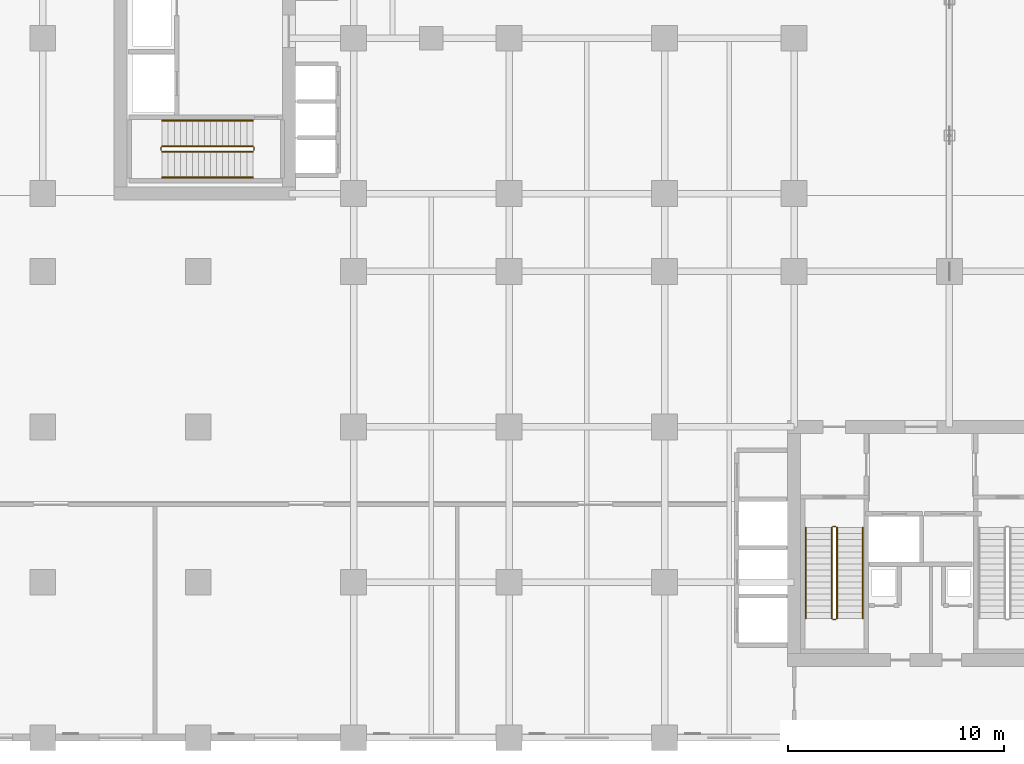
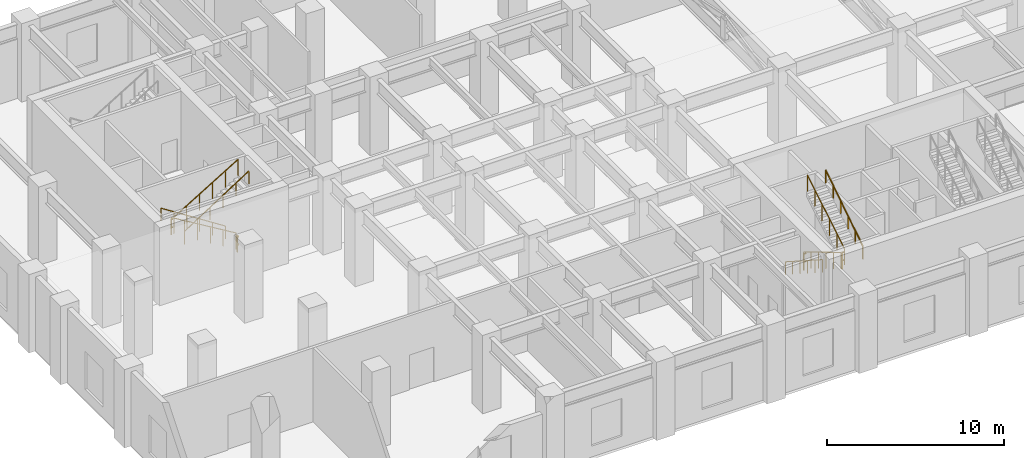
# One storey, part 15 of 19: 12 railings.
"""IFC4 building model written with IfcOpenShell, lengths in metres."""

from ifc_helpers import new_model, si_unit, derived_unit, direction, frame, origin, origin_2d, place, context, subcontext, project, spatial, rectangle, extrude, material, type_object, element, save


model = new_model("IFC4")

# Units and contexts
model_context = context("Model", 3, precision=1e-05, world=origin(), true_north=direction((0.0, 1.0)))
body_context = subcontext(model_context, "Body", "Model", "MODEL_VIEW")
ifc_project = project(units=[si_unit("LENGTHUNIT", "METRE"), si_unit("AREAUNIT", "SQUARE_METRE"), si_unit("VOLUMEUNIT", "CUBIC_METRE"), si_unit("PLANEANGLEUNIT", "RADIAN"), si_unit("MASSUNIT", "GRAM", prefix="KILO"), si_unit("THERMODYNAMICTEMPERATUREUNIT", "KELVIN"), si_unit("POWERUNIT", "WATT"), derived_unit("THERMALTRANSMITTANCEUNIT", [(si_unit("POWERUNIT", "WATT"), 1), (si_unit("AREAUNIT", "SQUARE_METRE"), -1), (si_unit("THERMODYNAMICTEMPERATUREUNIT", "KELVIN"), -1)])], contexts=[model_context])

# Site, building, storey
site_placement = place(None, origin())
site = spatial("IfcSite", under=ifc_project, at=site_placement, CompositionType="ELEMENT")
building_placement = place(site_placement, origin())
building = spatial("IfcBuilding", under=site, at=building_placement, Name="Zahravan Archway Hotel and Residences", CompositionType="ELEMENT")
storey_placement = place(building_placement, frame((0.0, 0.0, 21.60009765625)))
storey = spatial("IfcBuildingStorey", under=building, at=storey_placement, Name="L04", CompositionType="ELEMENT", Elevation=21.60009765625)

# Railings
ifc_material_1 = material(Name="Painted Tubular Steel", Category="steel")
railing_type_1 = type_object("IfcRailingType", Name="RL-STG-1150", PredefinedType="GUARDRAIL", material=ifc_material_1)
railing_1_placement = place(storey_placement, frame((36.550048828125, 9.72998046875, 0.168701171875)))
element("IfcRailing", 1, at=railing_1_placement, inside=storey, type_object=railing_type_1, Name="L04 ST-A1 stair guard 1", PredefinedType="GUARDRAIL", context=body_context, shape_type="SweptSolid", body=[
    extrude(rectangle(XDim=0.048095703125, YDim=0.048095703125, at=origin_2d()), frame((0.0, 0.0, 1.1259765625), z_axis=(0.0, -0.856476492594, 0.516186030065), x_axis=(1.0, 0.0, 0.0)), (0.0, 0.0, 1.0), 4.90380859375),
    extrude(rectangle(XDim=0.0419921875, YDim=0.0419921875, at=origin_2d()), origin(), (0.0, 0.0, 1.0), 1.101806640625),
    extrude(rectangle(XDim=0.0419921875, YDim=0.0419921875, at=origin_2d()), frame((0.0, -0.840087890625, 0.50634765625)), (0.0, 0.0, 1.0), 1.101806640625),
    extrude(rectangle(XDim=0.0419921875, YDim=0.0419921875, at=origin_2d()), frame((0.0, -1.679931640625, 1.012451171875)), (0.0, 0.0, 1.0), 1.101806640625),
    extrude(rectangle(XDim=0.0419921875, YDim=0.0419921875, at=origin_2d()), frame((0.0, -2.52001953125, 1.518798828125)), (0.0, 0.0, 1.0), 1.101806640625),
    extrude(rectangle(XDim=0.0419921875, YDim=0.0419921875, at=origin_2d()), frame((0.0, -3.35986328125, 2.02490234375)), (0.0, 0.0, 1.0), 1.101806640625),
    extrude(rectangle(XDim=0.0419921875, YDim=0.0419921875, at=origin_2d()), frame((0.0, -4.199951171875, 2.53125)), (0.0, 0.0, 1.0), 1.101806640625),
])
railing_2_placement = place(storey_placement, frame((36.60009765625, 5.47998046875, 2.699951171875)))
element("IfcRailing", 2, at=railing_2_placement, inside=storey, type_object=railing_type_1, Name="L04 ST-A1 stair guard 2", PredefinedType="GUARDRAIL", context=body_context, shape_type="SweptSolid", body=[
    extrude(rectangle(XDim=0.048095703125, YDim=0.048095703125, at=origin_2d()), frame((0.0, 0.0, 1.1259765625), z_axis=(1.0, 0.0, 0.0), x_axis=(0.0, 1.0, 0.0)), (0.0, 0.0, 1.0), 0.139892578125),
    extrude(rectangle(XDim=0.048095703125, YDim=0.048095703125, at=origin_2d()), frame((0.0, 0.0, 0.574951171875), z_axis=(1.0, 0.0, 0.0), x_axis=(0.0, 1.0, 0.0)), (0.0, 0.0, 1.0), 0.139892578125),
    extrude(rectangle(XDim=0.0419921875, YDim=0.0419921875, at=origin_2d()), origin(), (0.0, 0.0, 1.0), 1.101806640625),
])
railing_3_placement = place(storey_placement, frame((36.7900390625, 5.530029296875, 2.86865234375)))
element("IfcRailing", 3, at=railing_3_placement, inside=storey, type_object=railing_type_1, Name="L04 ST-A1 stair guard 3", PredefinedType="GUARDRAIL", context=body_context, shape_type="SweptSolid", body=[
    extrude(rectangle(XDim=0.048095703125, YDim=0.048095703125, at=origin_2d()), frame((0.0, 0.0, 1.1259765625), z_axis=(0.0, 0.856476492594, 0.516186030065), x_axis=(-1.0, 0.0, 0.0)), (0.0, 0.0, 1.0), 4.90380859375),
    extrude(rectangle(XDim=0.0419921875, YDim=0.0419921875, at=origin_2d()), origin(), (0.0, 0.0, 1.0), 1.101806640625),
    extrude(rectangle(XDim=0.0419921875, YDim=0.0419921875, at=origin_2d()), frame((0.0, 0.840087890625, 0.50634765625)), (0.0, 0.0, 1.0), 1.101806640625),
    extrude(rectangle(XDim=0.0419921875, YDim=0.0419921875, at=origin_2d()), frame((0.0, 1.679931640625, 1.012451171875)), (0.0, 0.0, 1.0), 1.101806640625),
    extrude(rectangle(XDim=0.0419921875, YDim=0.0419921875, at=origin_2d()), frame((0.0, 2.52001953125, 1.518798828125)), (0.0, 0.0, 1.0), 1.101806640625),
    extrude(rectangle(XDim=0.0419921875, YDim=0.0419921875, at=origin_2d()), frame((0.0, 3.35986328125, 2.02490234375)), (0.0, 0.0, 1.0), 1.101806640625),
    extrude(rectangle(XDim=0.0419921875, YDim=0.0419921875, at=origin_2d()), frame((0.0, 4.199951171875, 2.53125)), (0.0, 0.0, 1.0), 1.101806640625),
])
railing_4_placement = place(storey_placement, frame((36.60009765625, 9.780029296875, 0.0)))
element("IfcRailing", 4, at=railing_4_placement, inside=storey, type_object=railing_type_1, Name="L04 ST-A1 stair guard 4", PredefinedType="GUARDRAIL", context=body_context, shape_type="SweptSolid", body=[
    extrude(rectangle(XDim=0.048095703125, YDim=0.048095703125, at=origin_2d()), frame((0.0, 0.0, 1.1259765625), z_axis=(1.0, 0.0, 0.0), x_axis=(0.0, 1.0, 0.0)), (0.0, 0.0, 1.0), 0.139892578125),
    extrude(rectangle(XDim=0.048095703125, YDim=0.048095703125, at=origin_2d()), frame((0.0, 0.0, 0.574951171875), z_axis=(1.0, 0.0, 0.0), x_axis=(0.0, 1.0, 0.0)), (0.0, 0.0, 1.0), 0.139892578125),
    extrude(rectangle(XDim=0.0419921875, YDim=0.0419921875, at=origin_2d()), origin(), (0.0, 0.0, 1.0), 1.101806640625),
])
railing_5_placement = place(storey_placement, frame((9.72998046875, 27.389892578125, 0.168701171875)))
element("IfcRailing", 5, at=railing_5_placement, inside=storey, type_object=railing_type_1, Name="L04 ST-B1 stair guard 1", PredefinedType="GUARDRAIL", context=body_context, shape_type="SweptSolid", body=[
    extrude(rectangle(XDim=0.048095703125, YDim=0.048095703125, at=origin_2d()), frame((0.0, 0.0, 1.1259765625), z_axis=(-0.856476492594, 0.0, 0.516186030065), x_axis=(0.0, -1.0, 0.0)), (0.0, 0.0, 1.0), 4.90380859375),
    extrude(rectangle(XDim=0.0419921875, YDim=0.0419921875, at=origin_2d()), origin(), (0.0, 0.0, 1.0), 1.101806640625),
    extrude(rectangle(XDim=0.0419921875, YDim=0.0419921875, at=origin_2d()), frame((-0.840087890625, 0.0, 0.50634765625)), (0.0, 0.0, 1.0), 1.101806640625),
    extrude(rectangle(XDim=0.0419921875, YDim=0.0419921875, at=origin_2d()), frame((-1.679931640625, 0.0, 1.012451171875)), (0.0, 0.0, 1.0), 1.101806640625),
    extrude(rectangle(XDim=0.0419921875, YDim=0.0419921875, at=origin_2d()), frame((-2.52001953125, 0.0, 1.518798828125)), (0.0, 0.0, 1.0), 1.101806640625),
    extrude(rectangle(XDim=0.0419921875, YDim=0.0419921875, at=origin_2d()), frame((-3.35986328125, 0.0, 2.02490234375)), (0.0, 0.0, 1.0), 1.101806640625),
    extrude(rectangle(XDim=0.0419921875, YDim=0.0419921875, at=origin_2d()), frame((-4.199951171875, 0.0, 2.53125)), (0.0, 0.0, 1.0), 1.101806640625),
])
railing_6_placement = place(storey_placement, frame((5.47998046875, 27.340087890625, 2.699951171875)))
element("IfcRailing", 6, at=railing_6_placement, inside=storey, type_object=railing_type_1, Name="L04 ST-B1 stair guard 2", PredefinedType="GUARDRAIL", context=body_context, shape_type="SweptSolid", body=[
    extrude(rectangle(XDim=0.048095703125, YDim=0.048095703125, at=origin_2d()), frame((0.0, 0.0, 1.1259765625), z_axis=(0.0, -1.0, 0.0), x_axis=(1.0, 0.0, 0.0)), (0.0, 0.0, 1.0), 0.14013671875),
    extrude(rectangle(XDim=0.048095703125, YDim=0.048095703125, at=origin_2d()), frame((0.0, 0.0, 0.574951171875), z_axis=(0.0, -1.0, 0.0), x_axis=(1.0, 0.0, 0.0)), (0.0, 0.0, 1.0), 0.14013671875),
    extrude(rectangle(XDim=0.0419921875, YDim=0.0419921875, at=origin_2d()), origin(), (0.0, 0.0, 1.0), 1.101806640625),
])
railing_7_placement = place(storey_placement, frame((5.530029296875, 27.14990234375, 2.86865234375)))
element("IfcRailing", 7, at=railing_7_placement, inside=storey, type_object=railing_type_1, Name="L04 ST-B1 stair guard 3", PredefinedType="GUARDRAIL", context=body_context, shape_type="SweptSolid", body=[
    extrude(rectangle(XDim=0.048095703125, YDim=0.048095703125, at=origin_2d()), frame((0.0, 0.0, 1.1259765625), z_axis=(0.856476492594, 0.0, 0.516186030065), x_axis=(0.0, 1.0, 0.0)), (0.0, 0.0, 1.0), 4.90380859375),
    extrude(rectangle(XDim=0.0419921875, YDim=0.0419921875, at=origin_2d()), origin(), (0.0, 0.0, 1.0), 1.101806640625),
    extrude(rectangle(XDim=0.0419921875, YDim=0.0419921875, at=origin_2d()), frame((0.840087890625, 0.0, 0.50634765625)), (0.0, 0.0, 1.0), 1.101806640625),
    extrude(rectangle(XDim=0.0419921875, YDim=0.0419921875, at=origin_2d()), frame((1.679931640625, 0.0, 1.012451171875)), (0.0, 0.0, 1.0), 1.101806640625),
    extrude(rectangle(XDim=0.0419921875, YDim=0.0419921875, at=origin_2d()), frame((2.52001953125, 0.0, 1.518798828125)), (0.0, 0.0, 1.0), 1.101806640625),
    extrude(rectangle(XDim=0.0419921875, YDim=0.0419921875, at=origin_2d()), frame((3.35986328125, 0.0, 2.02490234375)), (0.0, 0.0, 1.0), 1.101806640625),
    extrude(rectangle(XDim=0.0419921875, YDim=0.0419921875, at=origin_2d()), frame((4.199951171875, 0.0, 2.53125)), (0.0, 0.0, 1.0), 1.101806640625),
])
railing_8_placement = place(storey_placement, frame((9.780029296875, 27.340087890625, 0.0)))
element("IfcRailing", 8, at=railing_8_placement, inside=storey, type_object=railing_type_1, Name="L04 ST-B1 stair guard 4", PredefinedType="GUARDRAIL", context=body_context, shape_type="SweptSolid", body=[
    extrude(rectangle(XDim=0.048095703125, YDim=0.048095703125, at=origin_2d()), frame((0.0, 0.0, 1.1259765625), z_axis=(0.0, -1.0, 0.0), x_axis=(1.0, 0.0, 0.0)), (0.0, 0.0, 1.0), 0.14013671875),
    extrude(rectangle(XDim=0.048095703125, YDim=0.048095703125, at=origin_2d()), frame((0.0, 0.0, 0.574951171875), z_axis=(0.0, -1.0, 0.0), x_axis=(1.0, 0.0, 0.0)), (0.0, 0.0, 1.0), 0.14013671875),
    extrude(rectangle(XDim=0.0419921875, YDim=0.0419921875, at=origin_2d()), origin(), (0.0, 0.0, 1.0), 1.101806640625),
])
ifc_material_2 = material(Name="Brushed Stainless Steel", Category="steel")
railing_type_2 = type_object("IfcRailingType", Name="RL-STH-900", PredefinedType="HANDRAIL", material=ifc_material_2)
railing_9_placement = place(storey_placement, frame((35.35009765625, 9.72998046875, 0.168701171875)))
element("IfcRailing", 9, at=railing_9_placement, inside=storey, type_object=railing_type_2, Name="L04 ST-A1 stair handrail 1", PredefinedType="HANDRAIL", context=body_context, shape_type="SweptSolid", body=[
    extrude(rectangle(XDim=0.048095703125, YDim=0.048095703125, at=origin_2d()), frame((0.0, 0.0, 0.8759765625), z_axis=(0.0, -0.841180064094, 0.540755119968), x_axis=(1.0, 0.0, 0.0)), (0.0, 0.0, 1.0), 4.992919921875),
    extrude(rectangle(XDim=0.0419921875, YDim=0.0419921875, at=origin_2d()), origin(), (0.0, 0.0, 1.0), 0.851806640625),
    extrude(rectangle(XDim=0.0419921875, YDim=0.0419921875, at=origin_2d()), frame((0.0, -0.840087890625, 0.5400390625)), (0.0, 0.0, 1.0), 0.851806640625),
    extrude(rectangle(XDim=0.0419921875, YDim=0.0419921875, at=origin_2d()), frame((0.0, -1.679931640625, 1.080078125)), (0.0, 0.0, 1.0), 0.851806640625),
    extrude(rectangle(XDim=0.0419921875, YDim=0.0419921875, at=origin_2d()), frame((0.0, -2.52001953125, 1.619873046875)), (0.0, 0.0, 1.0), 0.851806640625),
    extrude(rectangle(XDim=0.0419921875, YDim=0.0419921875, at=origin_2d()), frame((0.0, -3.35986328125, 2.159912109375)), (0.0, 0.0, 1.0), 0.851806640625),
    extrude(rectangle(XDim=0.0419921875, YDim=0.0419921875, at=origin_2d()), frame((0.0, -4.199951171875, 2.699951171875)), (0.0, 0.0, 1.0), 0.851806640625),
])
railing_10_placement = place(storey_placement, frame((37.989990234375, 5.530029296875, 2.86865234375)))
element("IfcRailing", 10, at=railing_10_placement, inside=storey, type_object=railing_type_2, Name="L04 ST-A1 stair handrail 2", PredefinedType="HANDRAIL", context=body_context, shape_type="SweptSolid", body=[
    extrude(rectangle(XDim=0.048095703125, YDim=0.048095703125, at=origin_2d()), frame((0.0, 0.0, 0.8759765625), z_axis=(0.0, 0.841180064094, 0.540755119968), x_axis=(-1.0, 0.0, 0.0)), (0.0, 0.0, 1.0), 4.992919921875),
    extrude(rectangle(XDim=0.0419921875, YDim=0.0419921875, at=origin_2d()), origin(), (0.0, 0.0, 1.0), 0.851806640625),
    extrude(rectangle(XDim=0.0419921875, YDim=0.0419921875, at=origin_2d()), frame((0.0, 0.840087890625, 0.5400390625)), (0.0, 0.0, 1.0), 0.851806640625),
    extrude(rectangle(XDim=0.0419921875, YDim=0.0419921875, at=origin_2d()), frame((0.0, 1.679931640625, 1.080078125)), (0.0, 0.0, 1.0), 0.851806640625),
    extrude(rectangle(XDim=0.0419921875, YDim=0.0419921875, at=origin_2d()), frame((0.0, 2.52001953125, 1.619873046875)), (0.0, 0.0, 1.0), 0.851806640625),
    extrude(rectangle(XDim=0.0419921875, YDim=0.0419921875, at=origin_2d()), frame((0.0, 3.35986328125, 2.159912109375)), (0.0, 0.0, 1.0), 0.851806640625),
    extrude(rectangle(XDim=0.0419921875, YDim=0.0419921875, at=origin_2d()), frame((0.0, 4.199951171875, 2.699951171875)), (0.0, 0.0, 1.0), 0.851806640625),
])
railing_11_placement = place(storey_placement, frame((9.72998046875, 28.590087890625, 0.168701171875)))
element("IfcRailing", 11, at=railing_11_placement, inside=storey, type_object=railing_type_2, Name="L04 ST-B1 stair handrail 1", PredefinedType="HANDRAIL", context=body_context, shape_type="SweptSolid", body=[
    extrude(rectangle(XDim=0.048095703125, YDim=0.048095703125, at=origin_2d()), frame((0.0, 0.0, 0.8759765625), z_axis=(-0.841180064094, 0.0, 0.540755119968), x_axis=(0.0, -1.0, 0.0)), (0.0, 0.0, 1.0), 4.992919921875),
    extrude(rectangle(XDim=0.0419921875, YDim=0.0419921875, at=origin_2d()), origin(), (0.0, 0.0, 1.0), 0.851806640625),
    extrude(rectangle(XDim=0.0419921875, YDim=0.0419921875, at=origin_2d()), frame((-0.840087890625, 0.0, 0.5400390625)), (0.0, 0.0, 1.0), 0.851806640625),
    extrude(rectangle(XDim=0.0419921875, YDim=0.0419921875, at=origin_2d()), frame((-1.679931640625, 0.0, 1.080078125)), (0.0, 0.0, 1.0), 0.851806640625),
    extrude(rectangle(XDim=0.0419921875, YDim=0.0419921875, at=origin_2d()), frame((-2.52001953125, 0.0, 1.619873046875)), (0.0, 0.0, 1.0), 0.851806640625),
    extrude(rectangle(XDim=0.0419921875, YDim=0.0419921875, at=origin_2d()), frame((-3.35986328125, 0.0, 2.159912109375)), (0.0, 0.0, 1.0), 0.851806640625),
    extrude(rectangle(XDim=0.0419921875, YDim=0.0419921875, at=origin_2d()), frame((-4.199951171875, 0.0, 2.699951171875)), (0.0, 0.0, 1.0), 0.851806640625),
])
railing_12_placement = place(storey_placement, frame((5.530029296875, 25.949951171875, 2.86865234375)))
element("IfcRailing", 12, at=railing_12_placement, inside=storey, type_object=railing_type_2, Name="L04 ST-B1 stair handrail 2", PredefinedType="HANDRAIL", context=body_context, shape_type="SweptSolid", body=[
    extrude(rectangle(XDim=0.048095703125, YDim=0.048095703125, at=origin_2d()), frame((0.0, 0.0, 0.8759765625), z_axis=(0.841180064094, 0.0, 0.540755119968), x_axis=(0.0, 1.0, 0.0)), (0.0, 0.0, 1.0), 4.992919921875),
    extrude(rectangle(XDim=0.0419921875, YDim=0.0419921875, at=origin_2d()), origin(), (0.0, 0.0, 1.0), 0.851806640625),
    extrude(rectangle(XDim=0.0419921875, YDim=0.0419921875, at=origin_2d()), frame((0.840087890625, 0.0, 0.5400390625)), (0.0, 0.0, 1.0), 0.851806640625),
    extrude(rectangle(XDim=0.0419921875, YDim=0.0419921875, at=origin_2d()), frame((1.679931640625, 0.0, 1.080078125)), (0.0, 0.0, 1.0), 0.851806640625),
    extrude(rectangle(XDim=0.0419921875, YDim=0.0419921875, at=origin_2d()), frame((2.52001953125, 0.0, 1.619873046875)), (0.0, 0.0, 1.0), 0.851806640625),
    extrude(rectangle(XDim=0.0419921875, YDim=0.0419921875, at=origin_2d()), frame((3.35986328125, 0.0, 2.159912109375)), (0.0, 0.0, 1.0), 0.851806640625),
    extrude(rectangle(XDim=0.0419921875, YDim=0.0419921875, at=origin_2d()), frame((4.199951171875, 0.0, 2.699951171875)), (0.0, 0.0, 1.0), 0.851806640625),
])

save(model, "model.ifc")
